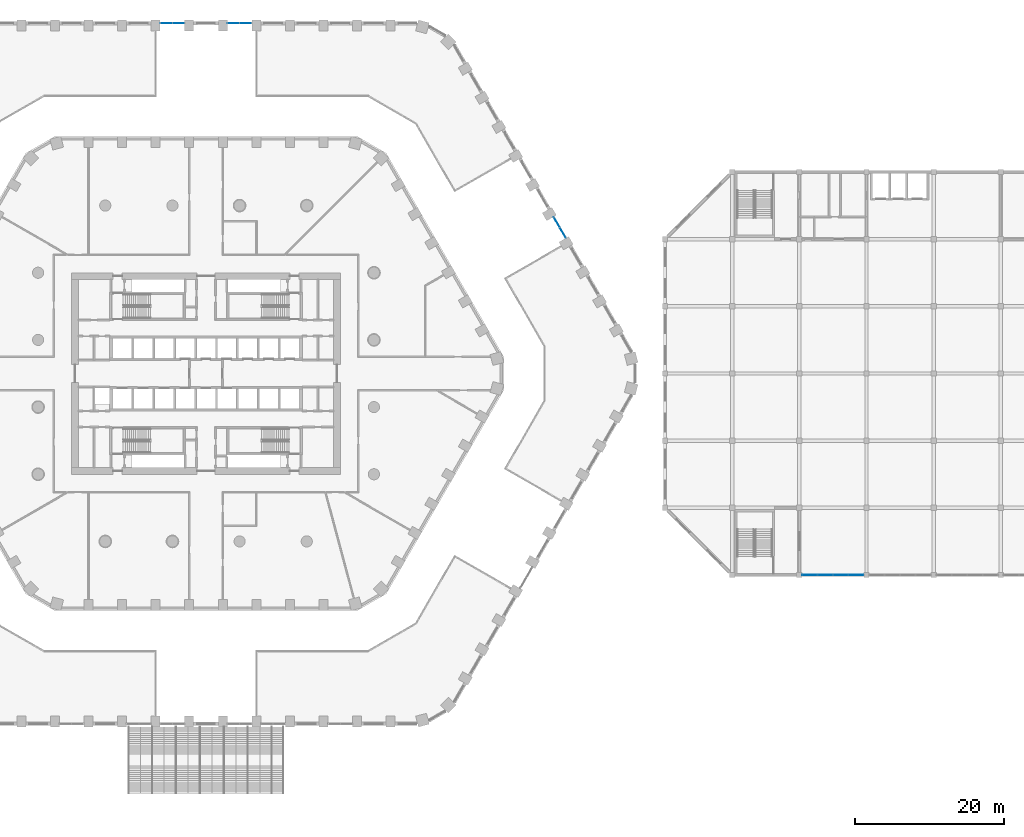
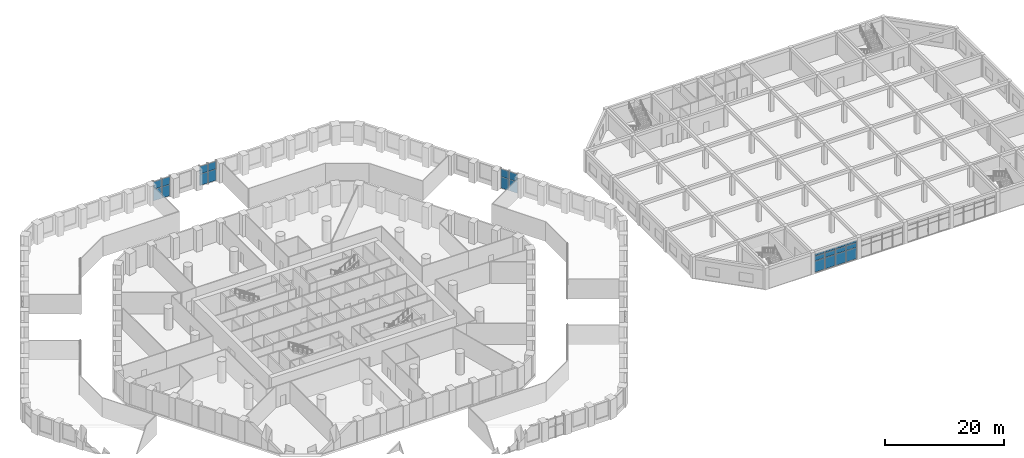
# One storey, part 15 of 42: 24 plates, 4 elements without a shape of their own.
"""IFC4 building model written with IfcOpenShell, lengths in metres."""

from ifc_helpers import new_model, si_unit, direction, frame, origin, origin_2d, place, context, subcontext, project, spatial, rectangle, extrude, material, layer, layer_set, type_object, element, aggregate, save


model = new_model("IFC4")

# Units and contexts
model_context = context("Model", 3, precision=1e-05, world=origin(), true_north=direction((0.0, 1.0)))
body_context = subcontext(model_context, "Body", "Model", "MODEL_VIEW")
ifc_project = project(units=[si_unit("LENGTHUNIT", "METRE"), si_unit("AREAUNIT", "SQUARE_METRE"), si_unit("VOLUMEUNIT", "CUBIC_METRE"), si_unit("PLANEANGLEUNIT", "RADIAN"), si_unit("MASSUNIT", "GRAM", prefix="KILO")], contexts=[model_context])

# Site, building, storey
site_placement = place(None, origin())
site = spatial("IfcSite", under=ifc_project, at=site_placement, CompositionType="ELEMENT")
building_placement = place(site_placement, origin())
building = spatial("IfcBuilding", under=site, at=building_placement, Name="Dhurran Vertical Campus", CompositionType="ELEMENT")
storey_placement = place(building_placement, frame((0.0, 0.0, 6.0)))
storey = spatial("IfcBuildingStorey", under=building, at=storey_placement, Name="L01", CompositionType="ELEMENT", Elevation=6.0)

# Curtain wall, plates
ifc_material_1 = material(Name="Aluminium frame with solar-control glass", Category="aluminium")
ifc_layer_1 = layer(ifc_material_1, 0.199951171875)
ifc_layer_set_1 = layer_set([ifc_layer_1], Name="Aluminium frame with solar-control glass")
curtain_wall_type_1 = type_object("IfcCurtainWallType", Name="Entrance glazing system", PredefinedType="NOTDEFINED", material=ifc_layer_set_1)
curtain_wall_1_placement = place(storey_placement, origin())
curtain_wall_1 = element("IfcCurtainWall", 1, at=curtain_wall_1_placement, inside=storey, type_object=curtain_wall_type_1, Name="CW1 L01.30", PredefinedType="NOTDEFINED")
ifc_material_2 = material(Name="Clear solar-control glass", Category="glass")
ifc_layer_2 = layer(ifc_material_2, 0.028076171875)
ifc_layer_set_2 = layer_set([ifc_layer_2], Name="Clear solar-control glass")
plate_type_1 = type_object("IfcPlateType", Name="Entrance glazing system panel", PredefinedType="CURTAIN_PANEL", material=ifc_layer_set_2)
plate_1_placement = place(storey_placement, frame((47.808837890625, 18.873291015625, 0.06005859375), z_axis=(0.0, 0.0, 1.0), x_axis=(-0.50000233729, 0.866024054345, 0.0)))
plate_1 = element("IfcPlate", 2, at=plate_1_placement, type_object=plate_type_1, Name="CW1 panel 1.1", PredefinedType="CURTAIN_PANEL", context=body_context, shape_type="SweptSolid", body=[
    extrude(rectangle(XDim=1.5595703125, YDim=0.028076171875, at=origin_2d()), origin(), (0.0, 0.0, 1.0), 2.31005859375),
])
plate_2_placement = place(storey_placement, frame((47.808837890625, 18.873291015625, 2.429931640625), z_axis=(0.0, 0.0, 1.0), x_axis=(-0.50000233729, 0.866024054345, 0.0)))
plate_2 = element("IfcPlate", 3, at=plate_2_placement, type_object=plate_type_1, Name="CW1 panel 1.2", PredefinedType="CURTAIN_PANEL", context=body_context, shape_type="SweptSolid", body=[
    extrude(rectangle(XDim=1.5595703125, YDim=0.028076171875, at=origin_2d()), origin(), (0.0, 0.0, 1.0), 1.56005859375),
])
plate_3_placement = place(storey_placement, frame((46.999267578125, 20.27587890625, 0.06005859375), z_axis=(0.0, 0.0, 1.0), x_axis=(-0.50000233729, 0.866024054345, 0.0)))
plate_3 = element("IfcPlate", 4, at=plate_3_placement, type_object=plate_type_1, Name="CW1 panel 2.1", PredefinedType="CURTAIN_PANEL", context=body_context, shape_type="SweptSolid", body=[
    extrude(rectangle(XDim=1.5595703125, YDim=0.028076171875, at=origin_2d()), origin(), (0.0, 0.0, 1.0), 2.31005859375),
])
plate_4_placement = place(storey_placement, frame((46.999267578125, 20.27587890625, 2.429931640625), z_axis=(0.0, 0.0, 1.0), x_axis=(-0.50000233729, 0.866024054345, 0.0)))
plate_4 = element("IfcPlate", 5, at=plate_4_placement, type_object=plate_type_1, Name="CW1 panel 2.2", PredefinedType="CURTAIN_PANEL", context=body_context, shape_type="SweptSolid", body=[
    extrude(rectangle(XDim=1.5595703125, YDim=0.028076171875, at=origin_2d()), origin(), (0.0, 0.0, 1.0), 1.56005859375),
])
aggregate(curtain_wall_1, [plate_1, plate_2, plate_3, plate_4])

curtain_wall_2_placement = place(storey_placement, origin())
curtain_wall_2 = element("IfcCurtainWall", 6, at=curtain_wall_2_placement, inside=storey, type_object=curtain_wall_type_1, Name="CW1 L01.43", PredefinedType="NOTDEFINED")
plate_5_placement = place(storey_placement, frame((5.309814453125, 46.943359375, 0.06005859375), z_axis=(0.0, 0.0, 1.0), x_axis=(-1.0, 0.0, 0.0)))
plate_5 = element("IfcPlate", 7, at=plate_5_placement, type_object=plate_type_1, Name="CW1 panel 1.1", PredefinedType="CURTAIN_PANEL", context=body_context, shape_type="SweptSolid", body=[
    extrude(rectangle(XDim=1.5595703125, YDim=0.028076171875, at=origin_2d()), origin(), (0.0, 0.0, 1.0), 2.31005859375),
])
plate_6_placement = place(storey_placement, frame((5.309814453125, 46.943359375, 2.429931640625), z_axis=(0.0, 0.0, 1.0), x_axis=(-1.0, 0.0, 0.0)))
plate_6 = element("IfcPlate", 8, at=plate_6_placement, type_object=plate_type_1, Name="CW1 panel 1.2", PredefinedType="CURTAIN_PANEL", context=body_context, shape_type="SweptSolid", body=[
    extrude(rectangle(XDim=1.5595703125, YDim=0.028076171875, at=origin_2d()), origin(), (0.0, 0.0, 1.0), 1.56005859375),
])
plate_7_placement = place(storey_placement, frame((3.690185546875, 46.943359375, 0.06005859375), z_axis=(0.0, 0.0, 1.0), x_axis=(-1.0, 0.0, 0.0)))
plate_7 = element("IfcPlate", 9, at=plate_7_placement, type_object=plate_type_1, Name="CW1 panel 2.1", PredefinedType="CURTAIN_PANEL", context=body_context, shape_type="SweptSolid", body=[
    extrude(rectangle(XDim=1.5595703125, YDim=0.028076171875, at=origin_2d()), origin(), (0.0, 0.0, 1.0), 2.31005859375),
])
plate_8_placement = place(storey_placement, frame((3.690185546875, 46.943359375, 2.429931640625), z_axis=(0.0, 0.0, 1.0), x_axis=(-1.0, 0.0, 0.0)))
plate_8 = element("IfcPlate", 10, at=plate_8_placement, type_object=plate_type_1, Name="CW1 panel 2.2", PredefinedType="CURTAIN_PANEL", context=body_context, shape_type="SweptSolid", body=[
    extrude(rectangle(XDim=1.5595703125, YDim=0.028076171875, at=origin_2d()), origin(), (0.0, 0.0, 1.0), 1.56005859375),
])
aggregate(curtain_wall_2, [plate_5, plate_6, plate_7, plate_8])

curtain_wall_3_placement = place(storey_placement, origin())
curtain_wall_3 = element("IfcCurtainWall", 11, at=curtain_wall_3_placement, inside=storey, type_object=curtain_wall_type_1, Name="CW1 L01.45", PredefinedType="NOTDEFINED")
plate_9_placement = place(storey_placement, frame((-3.690185546875, 46.943359375, 0.06005859375), z_axis=(0.0, 0.0, 1.0), x_axis=(-1.0, 0.0, 0.0)))
plate_9 = element("IfcPlate", 12, at=plate_9_placement, type_object=plate_type_1, Name="CW1 panel 1.1", PredefinedType="CURTAIN_PANEL", context=body_context, shape_type="SweptSolid", body=[
    extrude(rectangle(XDim=1.5595703125, YDim=0.028076171875, at=origin_2d()), origin(), (0.0, 0.0, 1.0), 2.31005859375),
])
plate_10_placement = place(storey_placement, frame((-3.690185546875, 46.943359375, 2.429931640625), z_axis=(0.0, 0.0, 1.0), x_axis=(-1.0, 0.0, 0.0)))
plate_10 = element("IfcPlate", 13, at=plate_10_placement, type_object=plate_type_1, Name="CW1 panel 1.2", PredefinedType="CURTAIN_PANEL", context=body_context, shape_type="SweptSolid", body=[
    extrude(rectangle(XDim=1.5595703125, YDim=0.028076171875, at=origin_2d()), origin(), (0.0, 0.0, 1.0), 1.56005859375),
])
plate_11_placement = place(storey_placement, frame((-5.309814453125, 46.943359375, 0.06005859375), z_axis=(0.0, 0.0, 1.0), x_axis=(-1.0, 0.0, 0.0)))
plate_11 = element("IfcPlate", 14, at=plate_11_placement, type_object=plate_type_1, Name="CW1 panel 2.1", PredefinedType="CURTAIN_PANEL", context=body_context, shape_type="SweptSolid", body=[
    extrude(rectangle(XDim=1.5595703125, YDim=0.028076171875, at=origin_2d()), origin(), (0.0, 0.0, 1.0), 2.31005859375),
])
plate_12_placement = place(storey_placement, frame((-5.309814453125, 46.943359375, 2.429931640625), z_axis=(0.0, 0.0, 1.0), x_axis=(-1.0, 0.0, 0.0)))
plate_12 = element("IfcPlate", 15, at=plate_12_placement, type_object=plate_type_1, Name="CW1 panel 2.2", PredefinedType="CURTAIN_PANEL", context=body_context, shape_type="SweptSolid", body=[
    extrude(rectangle(XDim=1.5595703125, YDim=0.028076171875, at=origin_2d()), origin(), (0.0, 0.0, 1.0), 1.56005859375),
])
aggregate(curtain_wall_3, [plate_9, plate_10, plate_11, plate_12])

ifc_material_3 = material(Name="Aluminium", Category="aluminium")
ifc_layer_3 = layer(ifc_material_3, 0.159912109375)
ifc_layer_set_3 = layer_set([ifc_layer_3], Name="Aluminium")
curtain_wall_type_2 = type_object("IfcCurtainWallType", Name="hl-curtain wall system", PredefinedType="NOTDEFINED", material=ifc_layer_set_3)
curtain_wall_4_placement = place(storey_placement, origin())
curtain_wall_4 = element("IfcCurtainWall", 16, at=curtain_wall_4_placement, inside=storey, type_object=curtain_wall_type_2, Name="Hall curtain wall L01-05", PredefinedType="NOTDEFINED")
ifc_material_4 = material(Name="Glass laminated", Category="glass")
ifc_layer_4 = layer(ifc_material_4, 0.028076171875)
ifc_layer_set_4 = layer_set([ifc_layer_4], Name="Glass laminated")
plate_type_2 = type_object("IfcPlateType", Name="hl-cw glass panel 28", PredefinedType="CURTAIN_PANEL", material=ifc_layer_set_4)
plate_13_placement = place(storey_placement, frame((80.902587890625, -27.0, 0.06005859375), z_axis=(0.0, 0.0, 1.0), x_axis=(1.0, 0.0, 0.0)))
plate_13 = element("IfcPlate", 17, at=plate_13_placement, type_object=plate_type_2, Name="HCW panel 1.1", PredefinedType="CURTAIN_PANEL", context=body_context, shape_type="SweptSolid", body=[
    extrude(rectangle(XDim=1.985107421875, YDim=0.028076171875, at=origin_2d()), origin(), (0.0, 0.0, 1.0), 2.31005859375),
])
plate_14_placement = place(storey_placement, frame((80.902587890625, -27.0, 2.429931640625), z_axis=(0.0, 0.0, 1.0), x_axis=(1.0, 0.0, 0.0)))
plate_14 = element("IfcPlate", 18, at=plate_14_placement, type_object=plate_type_2, Name="HCW panel 1.2", PredefinedType="CURTAIN_PANEL", context=body_context, shape_type="SweptSolid", body=[
    extrude(rectangle(XDim=1.985107421875, YDim=0.028076171875, at=origin_2d()), origin(), (0.0, 0.0, 1.0), 0.93994140625),
])
plate_15_placement = place(storey_placement, frame((80.902587890625, -27.0, 3.43017578125), z_axis=(0.0, 0.0, 1.0), x_axis=(1.0, 0.0, 0.0)))
plate_15 = element("IfcPlate", 19, at=plate_15_placement, type_object=plate_type_2, Name="HCW panel 1.3", PredefinedType="CURTAIN_PANEL", context=body_context, shape_type="SweptSolid", body=[
    extrude(rectangle(XDim=1.985107421875, YDim=0.028076171875, at=origin_2d()), origin(), (0.0, 0.0, 1.0), 0.409912109375),
])
plate_16_placement = place(storey_placement, frame((82.96240234375, -27.0, 0.06005859375), z_axis=(0.0, 0.0, 1.0), x_axis=(1.0, 0.0, 0.0)))
plate_16 = element("IfcPlate", 20, at=plate_16_placement, type_object=plate_type_2, Name="HCW panel 2.1", PredefinedType="CURTAIN_PANEL", context=body_context, shape_type="SweptSolid", body=[
    extrude(rectangle(XDim=2.014892578125, YDim=0.028076171875, at=origin_2d()), origin(), (0.0, 0.0, 1.0), 2.31005859375),
])
plate_17_placement = place(storey_placement, frame((82.96240234375, -27.0, 2.429931640625), z_axis=(0.0, 0.0, 1.0), x_axis=(1.0, 0.0, 0.0)))
plate_17 = element("IfcPlate", 21, at=plate_17_placement, type_object=plate_type_2, Name="HCW panel 2.2", PredefinedType="CURTAIN_PANEL", context=body_context, shape_type="SweptSolid", body=[
    extrude(rectangle(XDim=2.014892578125, YDim=0.028076171875, at=origin_2d()), origin(), (0.0, 0.0, 1.0), 0.93994140625),
])
plate_18_placement = place(storey_placement, frame((82.96240234375, -27.0, 3.43017578125), z_axis=(0.0, 0.0, 1.0), x_axis=(1.0, 0.0, 0.0)))
plate_18 = element("IfcPlate", 22, at=plate_18_placement, type_object=plate_type_2, Name="HCW panel 2.3", PredefinedType="CURTAIN_PANEL", context=body_context, shape_type="SweptSolid", body=[
    extrude(rectangle(XDim=2.014892578125, YDim=0.028076171875, at=origin_2d()), origin(), (0.0, 0.0, 1.0), 0.409912109375),
])
plate_19_placement = place(storey_placement, frame((85.03759765625, -27.0, 0.06005859375), z_axis=(0.0, 0.0, 1.0), x_axis=(1.0, 0.0, 0.0)))
plate_19 = element("IfcPlate", 23, at=plate_19_placement, type_object=plate_type_2, Name="HCW panel 3.1", PredefinedType="CURTAIN_PANEL", context=body_context, shape_type="SweptSolid", body=[
    extrude(rectangle(XDim=2.014892578125, YDim=0.028076171875, at=origin_2d()), origin(), (0.0, 0.0, 1.0), 2.31005859375),
])
plate_20_placement = place(storey_placement, frame((85.03759765625, -27.0, 2.429931640625), z_axis=(0.0, 0.0, 1.0), x_axis=(1.0, 0.0, 0.0)))
plate_20 = element("IfcPlate", 24, at=plate_20_placement, type_object=plate_type_2, Name="HCW panel 3.2", PredefinedType="CURTAIN_PANEL", context=body_context, shape_type="SweptSolid", body=[
    extrude(rectangle(XDim=2.014892578125, YDim=0.028076171875, at=origin_2d()), origin(), (0.0, 0.0, 1.0), 0.93994140625),
])
plate_21_placement = place(storey_placement, frame((85.03759765625, -27.0, 3.43017578125), z_axis=(0.0, 0.0, 1.0), x_axis=(1.0, 0.0, 0.0)))
plate_21 = element("IfcPlate", 25, at=plate_21_placement, type_object=plate_type_2, Name="HCW panel 3.3", PredefinedType="CURTAIN_PANEL", context=body_context, shape_type="SweptSolid", body=[
    extrude(rectangle(XDim=2.014892578125, YDim=0.028076171875, at=origin_2d()), origin(), (0.0, 0.0, 1.0), 0.409912109375),
])
plate_22_placement = place(storey_placement, frame((87.097412109375, -27.0, 0.06005859375), z_axis=(0.0, 0.0, 1.0), x_axis=(1.0, 0.0, 0.0)))
plate_22 = element("IfcPlate", 26, at=plate_22_placement, type_object=plate_type_2, Name="HCW panel 4.1", PredefinedType="CURTAIN_PANEL", context=body_context, shape_type="SweptSolid", body=[
    extrude(rectangle(XDim=1.985107421875, YDim=0.028076171875, at=origin_2d()), origin(), (0.0, 0.0, 1.0), 2.31005859375),
])
plate_23_placement = place(storey_placement, frame((87.097412109375, -27.0, 2.429931640625), z_axis=(0.0, 0.0, 1.0), x_axis=(1.0, 0.0, 0.0)))
plate_23 = element("IfcPlate", 27, at=plate_23_placement, type_object=plate_type_2, Name="HCW panel 4.2", PredefinedType="CURTAIN_PANEL", context=body_context, shape_type="SweptSolid", body=[
    extrude(rectangle(XDim=1.985107421875, YDim=0.028076171875, at=origin_2d()), origin(), (0.0, 0.0, 1.0), 0.93994140625),
])
plate_24_placement = place(storey_placement, frame((87.097412109375, -27.0, 3.43017578125), z_axis=(0.0, 0.0, 1.0), x_axis=(1.0, 0.0, 0.0)))
plate_24 = element("IfcPlate", 28, at=plate_24_placement, type_object=plate_type_2, Name="HCW panel 4.3", PredefinedType="CURTAIN_PANEL", context=body_context, shape_type="SweptSolid", body=[
    extrude(rectangle(XDim=1.985107421875, YDim=0.028076171875, at=origin_2d()), origin(), (0.0, 0.0, 1.0), 0.409912109375),
])
aggregate(curtain_wall_4, [plate_13, plate_14, plate_15, plate_16, plate_17, plate_18, plate_19, plate_20, plate_21, plate_22, plate_23, plate_24])

save(model, "model.ifc")
